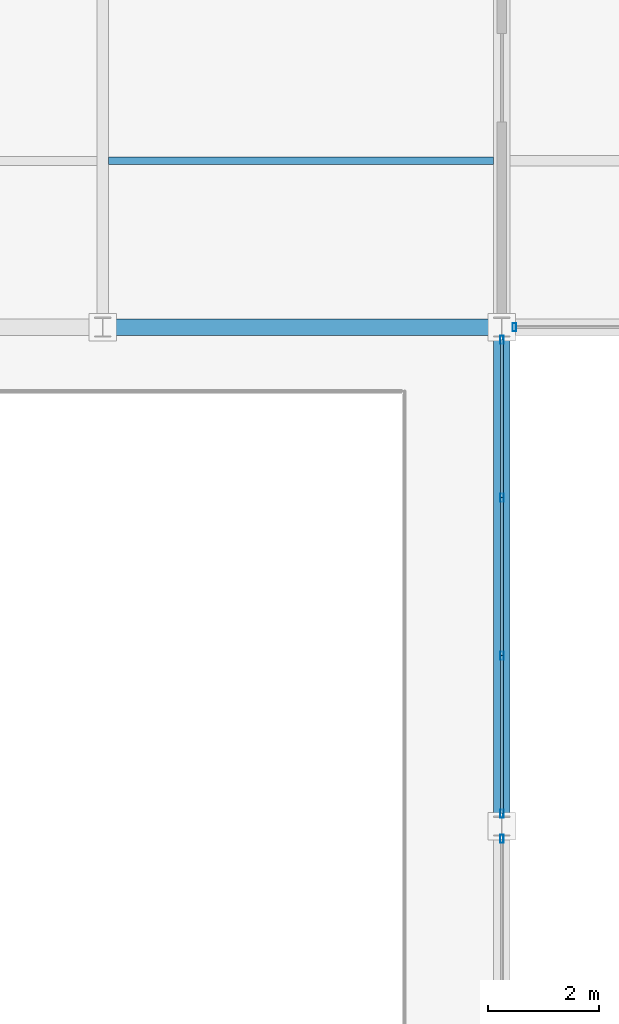
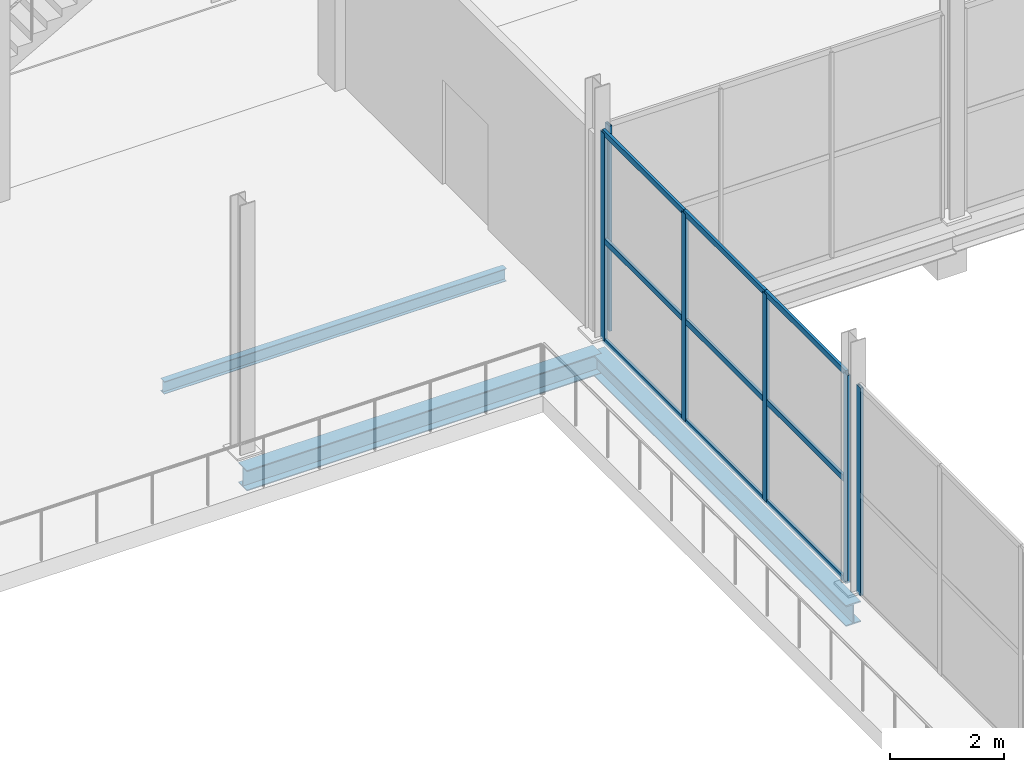
# One storey, part 41 of 141: 15 members, 3 beams, 3 elements without a shape of their own.
"""IFC4 building model written with IfcOpenShell, lengths in metres."""

from ifc_helpers import new_model, si_unit, direction, frame, origin, origin_2d, place, context, subcontext, project, spatial, hollow_rectangle, i_section, extrude, material, layer, layer_set, material_profile, profile_set, type_object, element, aggregate, save


model = new_model("IFC4")

# Units and contexts
model_context = context("Model", 3, precision=1e-05, world=origin(), true_north=direction((0.0, 1.0)))
body_context = subcontext(model_context, "Body", "Model", "MODEL_VIEW")
ifc_project = project(units=[si_unit("LENGTHUNIT", "METRE"), si_unit("AREAUNIT", "SQUARE_METRE"), si_unit("VOLUMEUNIT", "CUBIC_METRE"), si_unit("PLANEANGLEUNIT", "RADIAN"), si_unit("MASSUNIT", "GRAM", prefix="KILO")], contexts=[model_context])

# Site, building, storey
site_placement = place(None, origin())
site = spatial("IfcSite", under=ifc_project, at=site_placement, CompositionType="ELEMENT")
building_placement = place(site_placement, origin())
building = spatial("IfcBuilding", under=site, at=building_placement, Name="Sundgate Opera House", CompositionType="ELEMENT")
storey_placement = place(building_placement, frame((0.0, 0.0, 11.39990234375)))
storey = spatial("IfcBuildingStorey", under=building, at=storey_placement, Name="L02", CompositionType="ELEMENT", Elevation=11.39990234375)

# Beams
ifc_material_1 = material(Name="Steel S355J2", Category="steel")
ifc_material_profile_1 = material_profile(ifc_material_1, i_section(OverallWidth=0.300048828125, OverallDepth=0.43994140625, WebThickness=0.011474609375, FlangeThickness=0.02099609375, at=origin_2d()), Name="HEA 450")
ifc_profile_set_1 = profile_set([ifc_material_profile_1], Name="Steel S355J2")
beam_type_1 = type_object("IfcBeamType", Name="BM-GR-HEA450", PredefinedType="BEAM", material=ifc_profile_set_1)
beam_1_placement = place(storey_placement, frame((109.800048828125, 60.0, -0.56982421875), z_axis=(1.0, 0.0, 0.0), x_axis=(0.0, 1.0, 0.0)))
element("IfcBeam", 1, at=beam_1_placement, inside=storey, type_object=beam_type_1, Name="L02 Primary E-W Girder B2027", PredefinedType="BEAM", context=body_context, shape_type="SweptSolid", body=[
    extrude(i_section(OverallWidth=0.300048828125, OverallDepth=0.43994140625, WebThickness=0.011474609375, FlangeThickness=0.02099609375, at=origin_2d()), origin(), (0.0, 0.0, 1.0), 7.199951171875),
])
ifc_material_2 = material(Name="Steel S355J2", Category="steel")
ifc_material_profile_2 = material_profile(ifc_material_2, i_section(OverallWidth=0.300048828125, OverallDepth=0.449951171875, WebThickness=0.013916015625, FlangeThickness=0.02587890625, at=origin_2d()), Name="HEB 450")
ifc_profile_set_2 = profile_set([ifc_material_profile_2], Name="Steel S355J2")
beam_type_2 = type_object("IfcBeamType", Name="BM-GR-HEB450", PredefinedType="BEAM", material=ifc_profile_set_2)
beam_2_placement = place(storey_placement, frame((117.0, 51.0, -0.574951171875), z_axis=(0.0, 1.0, 0.0), x_axis=(-1.0, 0.0, 0.0)))
element("IfcBeam", 2, at=beam_2_placement, inside=storey, type_object=beam_type_2, Name="L02 Primary N-S Girder B1884", PredefinedType="BEAM", context=body_context, shape_type="SweptSolid", body=[
    extrude(i_section(OverallWidth=0.300048828125, OverallDepth=0.449951171875, WebThickness=0.013916015625, FlangeThickness=0.02587890625, at=origin_2d()), origin(), (0.0, 0.0, 1.0), 9.0),
])
ifc_material_3 = material(Name="Steel S355J2", Category="steel")
ifc_material_profile_3 = material_profile(ifc_material_3, i_section(OverallWidth=0.135009765625, OverallDepth=0.27001953125, WebThickness=0.006591796875, FlangeThickness=0.01025390625, at=origin_2d()), Name="IPE 270")
ifc_profile_set_3 = profile_set([ifc_material_profile_3], Name="Steel S355J2")
beam_type_3 = type_object("IfcBeamType", Name="BM-JS-IPE270", PredefinedType="JOIST", material=ifc_profile_set_3)
beam_3_placement = place(storey_placement, frame((109.905029296875, 63.0, -0.48486328125), z_axis=(1.0, 0.0, 0.0), x_axis=(0.0, 1.0, 0.0)))
element("IfcBeam", 3, at=beam_3_placement, inside=storey, type_object=beam_type_3, Name="L02 Secondary Floor Joist B2267", PredefinedType="JOIST", context=body_context, shape_type="SweptSolid", body=[
    extrude(i_section(OverallWidth=0.135009765625, OverallDepth=0.27001953125, WebThickness=0.006591796875, FlangeThickness=0.01025390625, at=origin_2d()), origin(), (0.0, 0.0, 1.0), 6.945068359375),
])

# Curtain wall, member
ifc_material_4 = material(Name="Anodized aluminium and low-iron glass", Category="aluminium")
ifc_layer = layer(ifc_material_4, 0.159912109375)
ifc_layer_set = layer_set([ifc_layer], Name="Anodized aluminium and low-iron glass")
curtain_wall_type = type_object("IfcCurtainWallType", Name="CW-STUDIO-DARK", PredefinedType="NOTDEFINED", material=ifc_layer_set)
curtain_wall_1_placement = place(storey_placement, origin())
curtain_wall_1 = element("IfcCurtainWall", 4, at=curtain_wall_1_placement, inside=storey, type_object=curtain_wall_type, Name="L02 Curtain Wall CW071", PredefinedType="NOTDEFINED")
ifc_material_5 = material(Name="Anodized aluminium EN AW-6063", Category="aluminium")
ifc_material_profile_4 = material_profile(ifc_material_5, hollow_rectangle(XDim=0.06005859375, YDim=0.14990234375, WallThickness=0.00390625, at=origin_2d()), Name="CWM 150x60x4")
ifc_profile_set_4 = profile_set([ifc_material_profile_4], Name="Anodized aluminium EN AW-6063")
member_type_1 = type_object("IfcMemberType", Name="CWM-ALU-150x60", PredefinedType="MULLION", material=ifc_profile_set_4)
member_1_placement = place(storey_placement, frame((117.22509765625, 60.0, 0.0), z_axis=(0.0, 0.0, 1.0), x_axis=(1.0, 0.0, 0.0)))
member_1 = element("IfcMember", 5, at=member_1_placement, type_object=member_type_1, Name="CW071 Mullion 4", PredefinedType="MULLION", context=body_context, shape_type="SweptSolid", body=[
    extrude(hollow_rectangle(XDim=0.06005859375, YDim=0.14990234375, WallThickness=0.00390625, at=origin_2d()), origin(), (0.0, 0.0, 1.0), 4.405029296875),
])
aggregate(curtain_wall_1, [member_1])

curtain_wall_2_placement = place(storey_placement, origin())
curtain_wall_2 = element("IfcCurtainWall", 6, at=curtain_wall_2_placement, inside=storey, type_object=curtain_wall_type, Name="L02 Curtain Wall CW076", PredefinedType="NOTDEFINED")
member_2_placement = place(storey_placement, frame((117.0, 50.77490234375, 0.0), z_axis=(0.0, 0.0, 1.0), x_axis=(1.0, 0.0, 0.0)))
member_2 = element("IfcMember", 7, at=member_2_placement, type_object=member_type_1, Name="CW076 Mullion 4", PredefinedType="MULLION", context=body_context, shape_type="SweptSolid", body=[
    extrude(hollow_rectangle(XDim=0.06005859375, YDim=0.14990234375, WallThickness=0.00390625, at=origin_2d()), origin(), (0.0, 0.0, 1.0), 4.455078125),
])
aggregate(curtain_wall_2, [member_2])

# Curtain wall, members
curtain_wall_3_placement = place(storey_placement, origin())
curtain_wall_3 = element("IfcCurtainWall", 8, at=curtain_wall_3_placement, inside=storey, type_object=curtain_wall_type, Name="L02 Curtain Wall CW078", PredefinedType="NOTDEFINED")
member_3_placement = place(storey_placement, frame((117.0, 51.22509765625, 0.0), z_axis=(0.0, 0.0, 1.0), x_axis=(1.0, 0.0, 0.0)))
member_3 = element("IfcMember", 9, at=member_3_placement, type_object=member_type_1, Name="CW078 Mullion 1", PredefinedType="MULLION", context=body_context, shape_type="SweptSolid", body=[
    extrude(hollow_rectangle(XDim=0.06005859375, YDim=0.14990234375, WallThickness=0.00390625, at=origin_2d()), origin(), (0.0, 0.0, 1.0), 4.455078125),
])
member_4_placement = place(storey_placement, frame((117.0, 54.074951171875, 0.0), z_axis=(0.0, 0.0, 1.0), x_axis=(1.0, 0.0, 0.0)))
member_4 = element("IfcMember", 10, at=member_4_placement, type_object=member_type_1, Name="CW078 Mullion 2", PredefinedType="MULLION", context=body_context, shape_type="SweptSolid", body=[
    extrude(hollow_rectangle(XDim=0.06005859375, YDim=0.14990234375, WallThickness=0.00390625, at=origin_2d()), origin(), (0.0, 0.0, 1.0), 4.455078125),
])
member_5_placement = place(storey_placement, frame((117.0, 56.925048828125, 0.0), z_axis=(0.0, 0.0, 1.0), x_axis=(1.0, 0.0, 0.0)))
member_5 = element("IfcMember", 11, at=member_5_placement, type_object=member_type_1, Name="CW078 Mullion 3", PredefinedType="MULLION", context=body_context, shape_type="SweptSolid", body=[
    extrude(hollow_rectangle(XDim=0.06005859375, YDim=0.14990234375, WallThickness=0.00390625, at=origin_2d()), origin(), (0.0, 0.0, 1.0), 4.455078125),
])
member_6_placement = place(storey_placement, frame((117.0, 59.77490234375, 0.0), z_axis=(0.0, 0.0, 1.0), x_axis=(1.0, 0.0, 0.0)))
member_6 = element("IfcMember", 12, at=member_6_placement, type_object=member_type_1, Name="CW078 Mullion 4", PredefinedType="MULLION", context=body_context, shape_type="SweptSolid", body=[
    extrude(hollow_rectangle(XDim=0.06005859375, YDim=0.14990234375, WallThickness=0.00390625, at=origin_2d()), origin(), (0.0, 0.0, 1.0), 4.455078125),
])
ifc_material_6 = material(Name="Anodized aluminium EN AW-6063", Category="aluminium")
ifc_material_profile_5 = material_profile(ifc_material_6, hollow_rectangle(XDim=0.054931640625, YDim=0.1201171875, WallThickness=0.00390625, at=origin_2d()), Name="CWT 120x55x4")
ifc_profile_set_5 = profile_set([ifc_material_profile_5], Name="Anodized aluminium EN AW-6063")
member_type_2 = type_object("IfcMemberType", Name="CWT-ALU-120x55", PredefinedType="USERDEFINED", material=ifc_profile_set_5)
member_7_placement = place(storey_placement, frame((117.0, 51.22509765625, 0.0), z_axis=(0.0, 1.0, 0.0), x_axis=(-1.0, 0.0, 0.0)))
member_7 = element("IfcMember", 13, at=member_7_placement, type_object=member_type_2, Name="CW078 Transom 1", ObjectType="TRANSOM", PredefinedType="USERDEFINED", context=body_context, shape_type="SweptSolid", body=[
    extrude(hollow_rectangle(XDim=0.054931640625, YDim=0.1201171875, WallThickness=0.00390625, at=origin_2d()), origin(), (0.0, 0.0, 1.0), 2.849853515625),
])
member_8_placement = place(storey_placement, frame((117.0, 51.22509765625, 2.150146484375), z_axis=(0.0, 1.0, 0.0), x_axis=(-1.0, 0.0, 0.0)))
member_8 = element("IfcMember", 14, at=member_8_placement, type_object=member_type_2, Name="CW078 Transom 2", ObjectType="TRANSOM", PredefinedType="USERDEFINED", context=body_context, shape_type="SweptSolid", body=[
    extrude(hollow_rectangle(XDim=0.054931640625, YDim=0.1201171875, WallThickness=0.00390625, at=origin_2d()), origin(), (0.0, 0.0, 1.0), 2.849853515625),
])
member_9_placement = place(storey_placement, frame((117.0, 51.22509765625, 4.455078125), z_axis=(0.0, 1.0, 0.0), x_axis=(-1.0, 0.0, 0.0)))
member_9 = element("IfcMember", 15, at=member_9_placement, type_object=member_type_2, Name="CW078 Transom 3", ObjectType="TRANSOM", PredefinedType="USERDEFINED", context=body_context, shape_type="SweptSolid", body=[
    extrude(hollow_rectangle(XDim=0.054931640625, YDim=0.1201171875, WallThickness=0.00390625, at=origin_2d()), origin(), (0.0, 0.0, 1.0), 2.849853515625),
])
member_10_placement = place(storey_placement, frame((117.0, 54.074951171875, 0.0), z_axis=(0.0, 1.0, 0.0), x_axis=(-1.0, 0.0, 0.0)))
member_10 = element("IfcMember", 16, at=member_10_placement, type_object=member_type_2, Name="CW078 Transom 4", ObjectType="TRANSOM", PredefinedType="USERDEFINED", context=body_context, shape_type="SweptSolid", body=[
    extrude(hollow_rectangle(XDim=0.054931640625, YDim=0.1201171875, WallThickness=0.00390625, at=origin_2d()), origin(), (0.0, 0.0, 1.0), 2.85009765625),
])
member_11_placement = place(storey_placement, frame((117.0, 54.074951171875, 2.150146484375), z_axis=(0.0, 1.0, 0.0), x_axis=(-1.0, 0.0, 0.0)))
member_11 = element("IfcMember", 17, at=member_11_placement, type_object=member_type_2, Name="CW078 Transom 5", ObjectType="TRANSOM", PredefinedType="USERDEFINED", context=body_context, shape_type="SweptSolid", body=[
    extrude(hollow_rectangle(XDim=0.054931640625, YDim=0.1201171875, WallThickness=0.00390625, at=origin_2d()), origin(), (0.0, 0.0, 1.0), 2.85009765625),
])
member_12_placement = place(storey_placement, frame((117.0, 54.074951171875, 4.455078125), z_axis=(0.0, 1.0, 0.0), x_axis=(-1.0, 0.0, 0.0)))
member_12 = element("IfcMember", 18, at=member_12_placement, type_object=member_type_2, Name="CW078 Transom 6", ObjectType="TRANSOM", PredefinedType="USERDEFINED", context=body_context, shape_type="SweptSolid", body=[
    extrude(hollow_rectangle(XDim=0.054931640625, YDim=0.1201171875, WallThickness=0.00390625, at=origin_2d()), origin(), (0.0, 0.0, 1.0), 2.85009765625),
])
member_13_placement = place(storey_placement, frame((117.0, 56.925048828125, 0.0), z_axis=(0.0, 1.0, 0.0), x_axis=(-1.0, 0.0, 0.0)))
member_13 = element("IfcMember", 19, at=member_13_placement, type_object=member_type_2, Name="CW078 Transom 7", ObjectType="TRANSOM", PredefinedType="USERDEFINED", context=body_context, shape_type="SweptSolid", body=[
    extrude(hollow_rectangle(XDim=0.054931640625, YDim=0.1201171875, WallThickness=0.00390625, at=origin_2d()), origin(), (0.0, 0.0, 1.0), 2.849853515625),
])
member_14_placement = place(storey_placement, frame((117.0, 56.925048828125, 2.150146484375), z_axis=(0.0, 1.0, 0.0), x_axis=(-1.0, 0.0, 0.0)))
member_14 = element("IfcMember", 20, at=member_14_placement, type_object=member_type_2, Name="CW078 Transom 8", ObjectType="TRANSOM", PredefinedType="USERDEFINED", context=body_context, shape_type="SweptSolid", body=[
    extrude(hollow_rectangle(XDim=0.054931640625, YDim=0.1201171875, WallThickness=0.00390625, at=origin_2d()), origin(), (0.0, 0.0, 1.0), 2.849853515625),
])
member_15_placement = place(storey_placement, frame((117.0, 56.925048828125, 4.455078125), z_axis=(0.0, 1.0, 0.0), x_axis=(-1.0, 0.0, 0.0)))
member_15 = element("IfcMember", 21, at=member_15_placement, type_object=member_type_2, Name="CW078 Transom 9", ObjectType="TRANSOM", PredefinedType="USERDEFINED", context=body_context, shape_type="SweptSolid", body=[
    extrude(hollow_rectangle(XDim=0.054931640625, YDim=0.1201171875, WallThickness=0.00390625, at=origin_2d()), origin(), (0.0, 0.0, 1.0), 2.849853515625),
])
aggregate(curtain_wall_3, [member_3, member_4, member_5, member_6, member_7, member_8, member_9, member_10, member_11, member_12, member_13, member_14, member_15])

save(model, "model.ifc")
